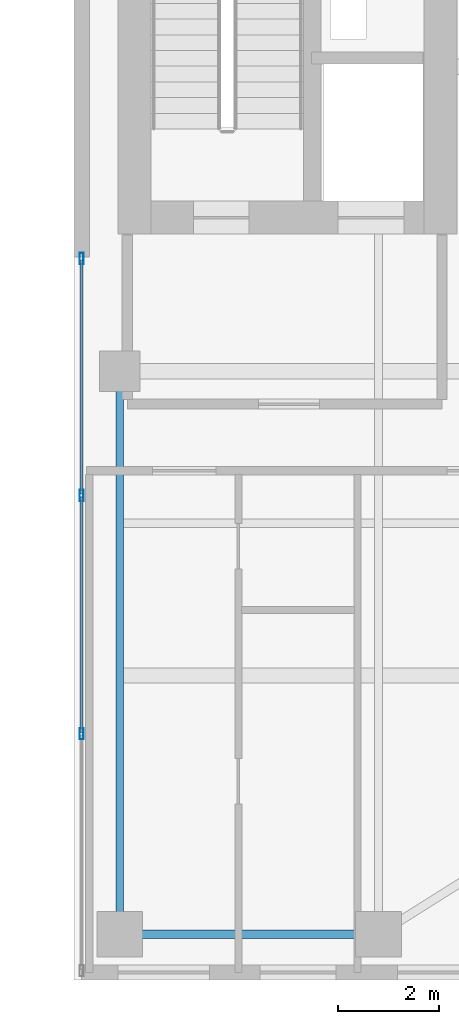
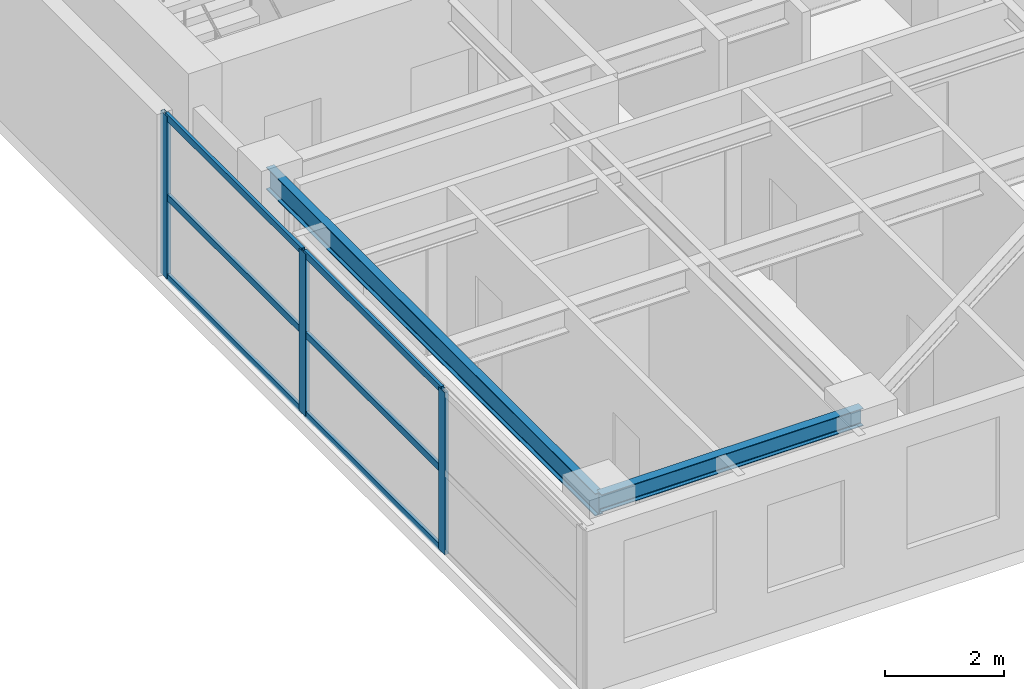
# One storey, part 6 of 20: 9 members, 2 beams, 1 element without a shape of its own.
"""IFC4 building model written with IfcOpenShell, lengths in metres."""

import ifcopenshell
import ifcopenshell.guid

model = None  # the IFC model being written
_history = None  # IfcOwnerHistory: only IFC2X3 demands one
_inside = {}  # id of a spatial element -> (the spatial element, [elements in it])
_under = {}  # id of a project, library or spatial element -> (it, [spatial elements below it])
_declared = {}  # id of a project -> (the project, [libraries it declares])
_typed = {}  # id of a type object -> (the type object, [elements of that type])
_made_of = {}  # id of a material, layer set ... -> (it, [elements and type objects made of it])


def new_model(schema):
    """Start an empty IFC model of exactly this schema.

    Asked for "IFC4X3", IfcOpenShell would pick the latest addendum, in which some entities
    have other attributes; the version numbers below select the first issue.
    IFC2X3 requires an IfcOwnerHistory on every rooted entity: one is made here for all.
    """
    global model, _history
    if schema == "IFC4X3":
        model = ifcopenshell.file(schema_version=(4, 3, 0, 0))
    else:
        model = ifcopenshell.file(schema=schema)
    _inside.clear()
    _under.clear()
    _declared.clear()
    _typed.clear()
    _made_of.clear()
    _history = None
    if model.schema == "IFC2X3":
        org = make("IfcOrganization", Name="unknown")
        user = make(
            "IfcPersonAndOrganization",
            ThePerson=make("IfcPerson", FamilyName="unknown"),
            TheOrganization=org,
        )
        app = make(
            "IfcApplication",
            ApplicationDeveloper=org,
            Version="unknown",
            ApplicationFullName="unknown",
            ApplicationIdentifier="unknown",
        )
        _history = make(
            "IfcOwnerHistory",
            OwningUser=user,
            OwningApplication=app,
            ChangeAction="ADDED",
            CreationDate=0,
        )
    return model


def make(cls, **values):
    """One entity of the class cls with the attributes given. An attribute that is None is left unset."""
    return model.create_entity(
        cls, **{name: value for name, value in values.items() if value is not None}
    )


def rooted(cls, **values):
    """An entity with a GlobalId (a new one), such as an element, a storey or a relation."""
    return make(cls, GlobalId=ifcopenshell.guid.new(), OwnerHistory=_history, **values)


def si_unit(unit_type, name, prefix=None):
    """IfcSIUnit, for example si_unit("LENGTHUNIT", "METRE", prefix="MILLI")."""
    return make("IfcSIUnit", UnitType=unit_type, Prefix=prefix, Name=name)


def assignment(units):
    """IfcUnitAssignment: the units of a project."""
    return None if units is None else make("IfcUnitAssignment", Units=units)


def point(xyz):
    """IfcCartesianPoint."""
    return None if xyz is None else make("IfcCartesianPoint", Coordinates=xyz)


def direction(xyz):
    """IfcDirection."""
    return None if xyz is None else make("IfcDirection", DirectionRatios=xyz)


def frame(location, z_axis=None, x_axis=None):
    """IfcAxis2Placement3D, a coordinate frame: its origin and axes. An axis left out is left unset."""
    return make(
        "IfcAxis2Placement3D",
        Location=point(location),
        Axis=direction(z_axis),
        RefDirection=direction(x_axis),
    )


def frame_2d(location, x_axis=None):
    """IfcAxis2Placement2D, a coordinate frame in the plane: its origin and x axis."""
    return make(
        "IfcAxis2Placement2D", Location=point(location), RefDirection=direction(x_axis)
    )


def origin():
    """The frame at (0, 0, 0) with its axes left unset."""
    return frame((0.0, 0.0, 0.0))


def origin_2d():
    """The frame at (0, 0) in the plane with its x axis left unset."""
    return frame_2d((0.0, 0.0))


def place(relative_to, where):
    """IfcLocalPlacement: puts the frame where relative to a parent placement (None: the world)."""
    return make(
        "IfcLocalPlacement", PlacementRelTo=relative_to, RelativePlacement=where
    )


def context(
    kind, dimensions, precision=None, world=None, true_north=None, identifier=None
):
    """IfcGeometricRepresentationContext, for example the 3D "Model" context."""
    return make(
        "IfcGeometricRepresentationContext",
        ContextIdentifier=identifier,
        ContextType=kind,
        CoordinateSpaceDimension=dimensions,
        Precision=precision,
        WorldCoordinateSystem=world,
        TrueNorth=true_north,
    )


def subcontext(parent, identifier, kind, view, scale=None):
    """IfcGeometricRepresentationSubContext, for example "Body" below "Model"."""
    return make(
        "IfcGeometricRepresentationSubContext",
        ContextIdentifier=identifier,
        ContextType=kind,
        ParentContext=parent,
        TargetScale=scale,
        TargetView=view,
    )


def project(units=None, contexts=None):
    """IfcProject with its units and contexts."""
    return rooted(
        "IfcProject",
        Name="project",
        RepresentationContexts=contexts,
        UnitsInContext=assignment(units),
    )


def spatial(cls, under=None, at=None, **own):
    """A site, building, storey or space (cls), placed at a placement, below another one or the project."""
    s = rooted(cls, ObjectPlacement=at, **own)
    if under is not None:
        _under.setdefault(under.id(), (under, []))[1].append(s)
    return s


def profile(cls, at=None, kind="AREA", **sizes):
    """A parametric profile (cls). Its sizes go by their IFC names, for example OverallWidth=200.0."""
    return make(cls, ProfileType=kind, Position=at, **sizes)


def hollow_rectangle(**sizes):
    """IfcRectangleHollowProfileDef."""
    return profile("IfcRectangleHollowProfileDef", **sizes)


def i_section(**sizes):
    """IfcIShapeProfileDef."""
    return profile("IfcIShapeProfileDef", **sizes)


def extrude(swept, where, along, depth):
    """IfcExtrudedAreaSolid: the profile swept, set in the frame where, extruded along a direction by depth."""
    return make(
        "IfcExtrudedAreaSolid",
        SweptArea=swept,
        Position=where,
        ExtrudedDirection=direction(along),
        Depth=depth,
    )


def shape(context_of_items, identifier, shape_type, items):
    """IfcShapeRepresentation: the items that make up one representation, for example the "Body"."""
    return make(
        "IfcShapeRepresentation",
        ContextOfItems=context_of_items,
        RepresentationIdentifier=identifier,
        RepresentationType=shape_type,
        Items=items,
    )


def source(mapping_origin, context_of_items, identifier, shape_type, items):
    """IfcRepresentationMap: a shape defined once, which mapped items show again and again."""
    return make(
        "IfcRepresentationMap",
        MappingOrigin=mapping_origin,
        MappedRepresentation=shape(context_of_items, identifier, shape_type, items),
    )


def transform(
    local_origin,
    x_axis=None,
    y_axis=None,
    z_axis=None,
    scale=None,
    scale2=None,
    scale3=None,
    uniform=True,
):
    """IfcCartesianTransformationOperator3D, or its non-uniform kind. x_axis, y_axis, z_axis: its Axis1, 2, 3."""
    if uniform:
        return make(
            "IfcCartesianTransformationOperator3D",
            Axis1=direction(x_axis),
            Axis2=direction(y_axis),
            LocalOrigin=point(local_origin),
            Scale=scale,
            Axis3=direction(z_axis),
        )
    return make(
        "IfcCartesianTransformationOperator3DnonUniform",
        Axis1=direction(x_axis),
        Axis2=direction(y_axis),
        LocalOrigin=point(local_origin),
        Scale=scale,
        Axis3=direction(z_axis),
        Scale2=scale2,
        Scale3=scale3,
    )


def mapped(mapping_source, mapping_target):
    """IfcMappedItem: shows the shape of a source again, moved by a transform."""
    return make(
        "IfcMappedItem", MappingSource=mapping_source, MappingTarget=mapping_target
    )


def material(Name=None, Category=None):
    """IfcMaterial."""
    return make("IfcMaterial", Name=Name, Category=Category)


def layer(
    of_material, thickness, ventilated=None, Name=None, Category=None, Priority=None
):
    """IfcMaterialLayer: one layer of a wall or slab, of a material (None: an air gap)."""
    return make(
        "IfcMaterialLayer",
        Material=of_material,
        LayerThickness=thickness,
        IsVentilated=ventilated,
        Name=Name,
        Category=Category,
        Priority=Priority,
    )


def layer_set(layers, Name=None):
    """IfcMaterialLayerSet."""
    return make("IfcMaterialLayerSet", MaterialLayers=layers, LayerSetName=Name)


def material_profile(
    of_material, cross_section, Name=None, Category=None, Priority=None
):
    """IfcMaterialProfile: a cross section and its material."""
    return make(
        "IfcMaterialProfile",
        Name=Name,
        Material=of_material,
        Profile=cross_section,
        Priority=Priority,
        Category=Category,
    )


def profile_set(profiles, Name=None, composite=None):
    """IfcMaterialProfileSet."""
    return make(
        "IfcMaterialProfileSet",
        Name=Name,
        MaterialProfiles=profiles,
        CompositeProfile=composite,
    )


def made_of(thing, what):
    """Note that an element or type object is made of a material, layer set ...; save() writes the relation."""
    if what is not None:
        _made_of.setdefault(what.id(), (what, []))[1].append(thing)
    return thing


def type_object(cls, material=None, **own):
    """A type object (cls), such as IfcWallType, which elements share."""
    return made_of(rooted(cls, **own), material)


def element(
    cls,
    number,
    at=None,
    inside=None,
    cuts=None,
    type_object=None,
    material=None,
    context=None,
    identifier="Body",
    shape_type=None,
    held_by="IfcProductDefinitionShape",
    body=None,
    shapes=None,
    **own,
):
    """One element of the class cls, such as IfcWall. Its Tag is "e" and its number.

    at: its placement. inside: the storey or other place that contains it. cuts: it is an
    opening in that element (IfcRelVoidsElement). A single representation is given by context,
    identifier, shape_type and body (its items); several are given by shapes. held_by: the class
    of the entity that holds the representations. save() writes the other relations.
    """
    e = rooted(cls, Tag="e%d" % number, ObjectPlacement=at, **own)
    if body is not None:
        shapes = [shape(context, identifier, shape_type, body)]
    if shapes is not None:
        e.Representation = make(held_by, Representations=shapes)
    if inside is not None:
        _inside.setdefault(inside.id(), (inside, []))[1].append(e)
    if cuts is not None:
        rooted(
            "IfcRelVoidsElement", RelatingBuildingElement=cuts, RelatedOpeningElement=e
        )
    if type_object is not None:
        _typed.setdefault(type_object.id(), (type_object, []))[1].append(e)
    return made_of(e, material)


def aggregate(whole, parts):
    """IfcRelAggregates: a whole, such as a stair, and the parts it consists of."""
    return rooted("IfcRelAggregates", RelatingObject=whole, RelatedObjects=parts)


def save(model, path):
    """Write the relations noted so far, then the file.

    IfcRelAggregates (storeys below a building ...), IfcRelContainedInSpatialStructure (elements
    in a storey), IfcRelDefinesByType, IfcRelAssociatesMaterial and IfcRelDeclares: one each for
    every whole, place, type object, material and project.
    """
    for whole, parts in _under.values():
        aggregate(whole, parts)
    for where, things in _inside.values():
        rooted(
            "IfcRelContainedInSpatialStructure",
            RelatedElements=things,
            RelatingStructure=where,
        )
    for kind, things in _typed.values():
        rooted("IfcRelDefinesByType", RelatedObjects=things, RelatingType=kind)
    for what, things in _made_of.values():
        rooted("IfcRelAssociatesMaterial", RelatedObjects=things, RelatingMaterial=what)
    for by, libraries in _declared.values():
        rooted("IfcRelDeclares", RelatingContext=by, RelatedDefinitions=libraries)
    model.write(path)


model = new_model("IFC4")

# Units and contexts
model_context = context("Model", 3, precision=1e-05, world=origin(), true_north=direction((0.0, 1.0)))
body_context = subcontext(model_context, "Body", "Model", "MODEL_VIEW")
ifc_project = project(units=[si_unit("LENGTHUNIT", "METRE"), si_unit("AREAUNIT", "SQUARE_METRE"), si_unit("VOLUMEUNIT", "CUBIC_METRE"), si_unit("PLANEANGLEUNIT", "RADIAN"), si_unit("MASSUNIT", "GRAM", prefix="KILO")], contexts=[model_context])

# Site, building, storey
site_placement = place(None, origin())
site = spatial("IfcSite", under=ifc_project, at=site_placement, CompositionType="ELEMENT")
building_placement = place(site_placement, origin())
building = spatial("IfcBuilding", under=site, at=building_placement, Name="Khoralis Quay Care Tower", CompositionType="ELEMENT")
storey_placement = place(building_placement, frame((0.0, 0.0, 198.89990234375)))
storey = spatial("IfcBuildingStorey", under=building, at=storey_placement, Name="L52", CompositionType="ELEMENT", Elevation=198.89990234375)

# Beams
ifc_material_1 = material(Name="Steel S355", Category="steel")
ifc_material_profile_1 = material_profile(ifc_material_1, i_section(OverallWidth=0.169921875, OverallDepth=0.360107421875, WebThickness=0.008056640625, FlangeThickness=0.0126953125, FilletRadius=0.01806640625, at=origin_2d()), Name="Steel S355")
ifc_profile_set_1 = profile_set([ifc_material_profile_1], Name="Steel S355")
beam_type_1 = type_object("IfcBeamType", Name="BM-IPE360", PredefinedType="SPANDREL", material=ifc_profile_set_1)
shared_shape_1 = source(origin(), body_context, "Body", "SweptSolid", [
    extrude(i_section(OverallWidth=0.169921875, OverallDepth=0.360107421875, WebThickness=0.008056640625, FlangeThickness=0.0126953125, FilletRadius=0.01806640625, at=origin_2d()), origin(), (0.0, 0.0, 1.0), 5.10009765625),
])
beam_1_placement = place(storey_placement, frame((30.89990234375, 0.89990234375, 3.16015625), z_axis=(1.0, 0.0, 0.0), x_axis=(0.0, 1.0, 0.0)))
element("IfcBeam", 1, at=beam_1_placement, inside=storey, type_object=beam_type_1, Name="BM-TSP-L52-02", PredefinedType="SPANDREL", context=body_context, shape_type="MappedRepresentation", body=[
    mapped(shared_shape_1, transform((0.0, 0.0, 0.0), scale=1.0)),
])
ifc_material_profile_2 = material_profile(ifc_material_1, i_section(OverallWidth=0.154052734375, OverallDepth=0.458984375, WebThickness=0.009033203125, FlangeThickness=0.015380859375, FilletRadius=0.014892578125, at=origin_2d()), Name="Steel S355")
ifc_profile_set_2 = profile_set([ifc_material_profile_2], Name="Steel S355")
beam_type_2 = type_object("IfcBeamType", Name="BM-W460X68", PredefinedType="BEAM", material=ifc_profile_set_2)
shared_shape_2 = source(origin(), body_context, "Body", "SweptSolid", [
    extrude(i_section(OverallWidth=0.154052734375, OverallDepth=0.458984375, WebThickness=0.009033203125, FlangeThickness=0.015380859375, FilletRadius=0.014892578125, at=origin_2d()), origin(), (0.0, 0.0, 1.0), 11.10009765625),
])
beam_2_placement = place(storey_placement, frame((30.89990234375, 0.89990234375, 3.110595703125), z_axis=(0.0, 1.0, 0.0), x_axis=(-1.0, 0.0, 0.0)))
element("IfcBeam", 2, at=beam_2_placement, inside=storey, type_object=beam_type_2, Name="BM-TGYS-L52-309", PredefinedType="BEAM", context=body_context, shape_type="MappedRepresentation", body=[
    mapped(shared_shape_2, transform((0.0, 0.0, 0.0), scale=1.0)),
])

# Curtain wall, members
ifc_material_2 = material(Name="Pale anodised aluminium", Category="aluminium")
ifc_layer = layer(ifc_material_2, 0.18994140625)
ifc_layer_set = layer_set([ifc_layer], Name="Pale anodised aluminium")
curtain_wall_type = type_object("IfcCurtainWallType", Name="CW-SYS-PORTAL", PredefinedType="NOTDEFINED", material=ifc_layer_set)
curtain_wall_placement = place(storey_placement, origin())
curtain_wall = element("IfcCurtainWall", 3, at=curtain_wall_placement, inside=storey, type_object=curtain_wall_type, Name="L52 Unitised Curtain Wall CW-VP-L52-P2-S", PredefinedType="NOTDEFINED")
ifc_material_profile_3 = material_profile(ifc_material_2, hollow_rectangle(XDim=0.074951171875, YDim=0.219970703125, WallThickness=0.00390625, at=origin_2d()), Name="Pale anodised aluminium")
ifc_profile_set_3 = profile_set([ifc_material_profile_3], Name="Pale anodised aluminium")
member_type_1 = type_object("IfcMemberType", Name="CW-MUL-220", PredefinedType="MULLION", material=ifc_profile_set_3)
shared_shape_3 = source(origin(), body_context, "Body", "SweptSolid", [
    extrude(hollow_rectangle(XDim=0.074951171875, YDim=0.219970703125, WallThickness=0.00390625, at=origin_2d()), origin(), (0.0, 0.0, 1.0), 3.340087890625),
])
member_1_placement = place(storey_placement, frame((30.14990234375, 4.85009765625, 0.0), z_axis=(0.0, 0.0, 1.0), x_axis=(-1.0, 0.0, 0.0)))
member_1 = element("IfcMember", 4, at=member_1_placement, type_object=member_type_1, Name="CW4 mullion 2", PredefinedType="MULLION", context=body_context, shape_type="MappedRepresentation", body=[
    mapped(shared_shape_3, transform((0.0, 0.0, 0.0), scale=1.0)),
])
member_2_placement = place(storey_placement, frame((30.14990234375, 9.550048828125, 0.0), z_axis=(0.0, 0.0, 1.0), x_axis=(-1.0, 0.0, 0.0)))
member_2 = element("IfcMember", 5, at=member_2_placement, type_object=member_type_1, Name="CW4 mullion 3", PredefinedType="MULLION", context=body_context, shape_type="MappedRepresentation", body=[
    mapped(shared_shape_3, transform((0.0, 0.0, 0.0), scale=1.0)),
])
member_3_placement = place(storey_placement, frame((30.14990234375, 14.219970703125, 0.0), z_axis=(0.0, 0.0, 1.0), x_axis=(-1.0, 0.0, 0.0)))
member_3 = element("IfcMember", 6, at=member_3_placement, type_object=member_type_1, Name="CW4 mullion 4", PredefinedType="MULLION", context=body_context, shape_type="MappedRepresentation", body=[
    mapped(shared_shape_3, transform((0.0, 0.0, 0.0), scale=1.0)),
])
ifc_material_profile_4 = material_profile(ifc_material_2, hollow_rectangle(XDim=0.06005859375, YDim=0.139892578125, WallThickness=0.00390625, at=origin_2d()), Name="Pale anodised aluminium")
ifc_profile_set_4 = profile_set([ifc_material_profile_4], Name="Pale anodised aluminium")
member_type_2 = type_object("IfcMemberType", Name="CW-TRN-140", PredefinedType="USERDEFINED", material=ifc_profile_set_4)
shared_shape_4 = source(origin(), body_context, "Body", "SweptSolid", [
    extrude(hollow_rectangle(XDim=0.06005859375, YDim=0.139892578125, WallThickness=0.00390625, at=origin_2d()), origin(), (0.0, 0.0, 1.0), 4.64013671875),
])
member_4_placement = place(storey_placement, frame((30.14990234375, 4.8798828125, 0.030029296875), z_axis=(0.0, 1.0, 0.0), x_axis=(-1.0, 0.0, 0.0)))
member_4 = element("IfcMember", 7, at=member_4_placement, type_object=member_type_2, Name="CW4 transom 2.1", ObjectType="TRANSOM", PredefinedType="USERDEFINED", context=body_context, shape_type="MappedRepresentation", body=[
    mapped(shared_shape_4, transform((0.0, 0.0, 0.0), scale=1.0)),
])
member_5_placement = place(storey_placement, frame((30.14990234375, 4.8798828125, 1.670166015625), z_axis=(0.0, 1.0, 0.0), x_axis=(-1.0, 0.0, 0.0)))
member_5 = element("IfcMember", 8, at=member_5_placement, type_object=member_type_2, Name="CW4 transom 2.2", ObjectType="TRANSOM", PredefinedType="USERDEFINED", context=body_context, shape_type="MappedRepresentation", body=[
    mapped(shared_shape_4, transform((0.0, 0.0, 0.0), scale=1.0)),
])
member_6_placement = place(storey_placement, frame((30.14990234375, 4.8798828125, 3.31005859375), z_axis=(0.0, 1.0, 0.0), x_axis=(-1.0, 0.0, 0.0)))
member_6 = element("IfcMember", 9, at=member_6_placement, type_object=member_type_2, Name="CW4 transom 2.3", ObjectType="TRANSOM", PredefinedType="USERDEFINED", context=body_context, shape_type="MappedRepresentation", body=[
    mapped(shared_shape_4, transform((0.0, 0.0, 0.0), scale=1.0)),
])
shared_shape_5 = source(origin(), body_context, "Body", "SweptSolid", [
    extrude(hollow_rectangle(XDim=0.06005859375, YDim=0.139892578125, WallThickness=0.00390625, at=origin_2d()), origin(), (0.0, 0.0, 1.0), 4.60986328125),
])
member_7_placement = place(storey_placement, frame((30.14990234375, 9.580078125, 0.030029296875), z_axis=(0.0, 1.0, 0.0), x_axis=(-1.0, 0.0, 0.0)))
member_7 = element("IfcMember", 10, at=member_7_placement, type_object=member_type_2, Name="CW4 transom 3.1", ObjectType="TRANSOM", PredefinedType="USERDEFINED", context=body_context, shape_type="MappedRepresentation", body=[
    mapped(shared_shape_5, transform((0.0, 0.0, 0.0), scale=1.0)),
])
member_8_placement = place(storey_placement, frame((30.14990234375, 9.580078125, 1.670166015625), z_axis=(0.0, 1.0, 0.0), x_axis=(-1.0, 0.0, 0.0)))
member_8 = element("IfcMember", 11, at=member_8_placement, type_object=member_type_2, Name="CW4 transom 3.2", ObjectType="TRANSOM", PredefinedType="USERDEFINED", context=body_context, shape_type="MappedRepresentation", body=[
    mapped(shared_shape_5, transform((0.0, 0.0, 0.0), scale=1.0)),
])
member_9_placement = place(storey_placement, frame((30.14990234375, 9.580078125, 3.31005859375), z_axis=(0.0, 1.0, 0.0), x_axis=(-1.0, 0.0, 0.0)))
member_9 = element("IfcMember", 12, at=member_9_placement, type_object=member_type_2, Name="CW4 transom 3.3", ObjectType="TRANSOM", PredefinedType="USERDEFINED", context=body_context, shape_type="MappedRepresentation", body=[
    mapped(shared_shape_5, transform((0.0, 0.0, 0.0), scale=1.0)),
])
aggregate(curtain_wall, [member_1, member_2, member_3, member_4, member_5, member_6, member_7, member_8, member_9])

save(model, "model.ifc")
